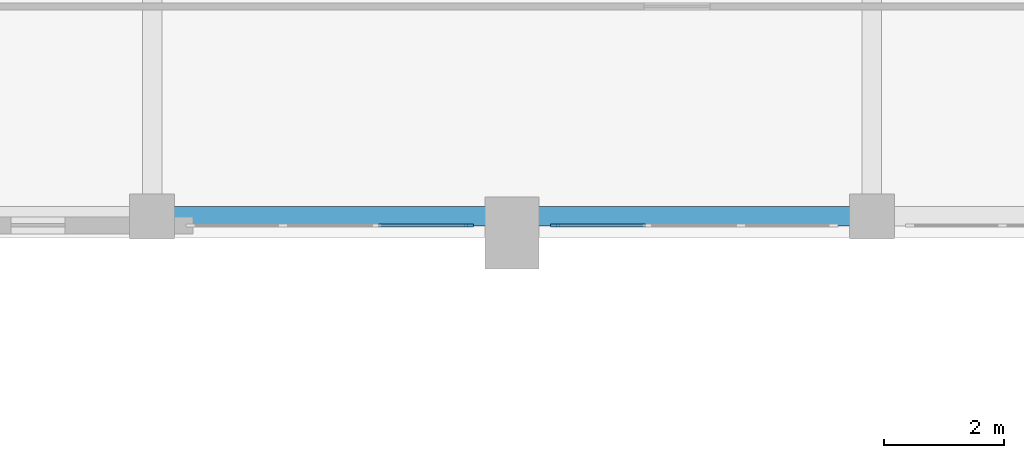
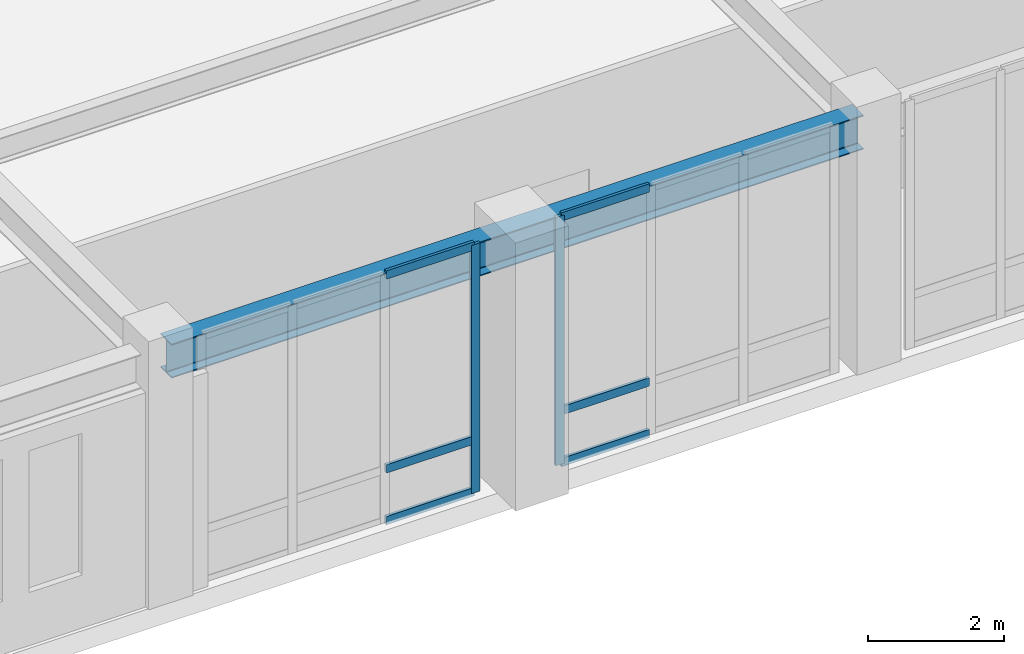
# One storey, part 40 of 126: 8 members, 1 beam, 2 elements without a shape of their own.
"""IFC4 building model written with IfcOpenShell, lengths in metres."""

from ifc_helpers import new_model, si_unit, derived_unit, direction, frame, origin, origin_2d, place, context, subcontext, project, spatial, rectangle, i_section, extrude, material, layer, layer_set, material_profile, profile_set, type_object, element, aggregate, save


model = new_model("IFC4")

# Units and contexts
model_context = context("Model", 3, precision=1e-05, world=origin(), true_north=direction((0.0, 1.0)))
body_context = subcontext(model_context, "Body", "Model", "MODEL_VIEW")
ifc_project = project(units=[si_unit("LENGTHUNIT", "METRE"), si_unit("AREAUNIT", "SQUARE_METRE"), si_unit("VOLUMEUNIT", "CUBIC_METRE"), si_unit("PLANEANGLEUNIT", "RADIAN"), si_unit("MASSUNIT", "GRAM", prefix="KILO"), derived_unit("THERMALTRANSMITTANCEUNIT", [(si_unit("MASSUNIT", "GRAM", prefix="KILO"), 1), (si_unit("TIMEUNIT", "SECOND"), -3), (si_unit("THERMODYNAMICTEMPERATUREUNIT", "KELVIN"), -1)])], contexts=[model_context])

# Site, building, storey
site_placement = place(None, origin())
site = spatial("IfcSite", under=ifc_project, at=site_placement, CompositionType="ELEMENT")
building_placement = place(site_placement, origin())
building = spatial("IfcBuilding", under=site, at=building_placement, Name="Valcora Ridge Arena", CompositionType="ELEMENT")
storey_placement = place(building_placement, frame((0.0, 0.0, 11.39990234375)))
storey = spatial("IfcBuildingStorey", under=building, at=storey_placement, Name="L02", CompositionType="ELEMENT", Elevation=11.39990234375)

# Beam
ifc_material_1 = material(Name="Steel ASTM A572 Grade 50", Category="steel")
ifc_material_profile_1 = material_profile(ifc_material_1, i_section(OverallWidth=0.324951171875, OverallDepth=0.612060546875, WebThickness=0.0126953125, FlangeThickness=0.01904296875, FilletRadius=0.01806640625, at=origin_2d()), Name="W24X104")
ifc_profile_set_1 = profile_set([ifc_material_profile_1], Name="Steel ASTM A572 Grade 50")
beam_type = type_object("IfcBeamType", Name="TY-BEAM-G-W24X104-X", PredefinedType="BEAM", material=ifc_profile_set_1)
beam_placement = place(storey_placement, frame((120.139892578125, 108.699951171875, 4.14404296875), z_axis=(1.0, 0.0, 0.0), x_axis=(0.0, 1.0, 0.0)))
element("IfcBeam", 1, at=beam_placement, inside=storey, type_object=beam_type, Name="G-W24X104-X BEM-G-W24X104-X-0074", PredefinedType="BEAM", context=body_context, shape_type="SweptSolid", body=[
    extrude(i_section(OverallWidth=0.324951171875, OverallDepth=0.612060546875, WebThickness=0.0126953125, FlangeThickness=0.01904296875, FilletRadius=0.01806640625, at=origin_2d()), origin(), (0.0, 0.0, 1.0), 11.72021484375),
])

# Curtain wall, member
ifc_material_2 = material(Name="Anodised dark bronze architectural aluminium 6063-T6", Category="aluminium")
ifc_layer = layer(ifc_material_2, 0.14990234375, Name="Anodised dark bronze architectural aluminium 6063-T6")
ifc_layer_set = layer_set([ifc_layer], Name="Anodised dark bronze architectural aluminium 6063-T6")
curtain_wall_type = type_object("IfcCurtainWallType", Name="TY-CURTAINWALL-CW-V5-MED-047X44", PredefinedType="NOTDEFINED", material=ifc_layer_set)
curtain_wall_1_placement = place(storey_placement, origin())
curtain_wall_1 = element("IfcCurtainWall", 2, at=curtain_wall_1_placement, inside=storey, type_object=curtain_wall_type, Name="CW-V5-MED-047X44 CW-0326", PredefinedType="NOTDEFINED")
ifc_material_profile_2 = material_profile(ifc_material_2, rectangle(XDim=0.050048828125, YDim=0.14990234375, at=origin_2d()), Name="ALU MULLION 50x150")
ifc_profile_set_2 = profile_set([ifc_material_profile_2], Name="Anodised dark bronze architectural aluminium 6063-T6")
member_type_1 = type_object("IfcMemberType", Name="TY-MEM-CWM-50x150", PredefinedType="MULLION", material=ifc_profile_set_2)
member_1_placement = place(storey_placement, frame((125.284912109375, 108.550048828125, 0.0), z_axis=(0.0, 0.0, 1.0), x_axis=(0.0, 1.0, 0.0)))
member_1 = element("IfcMember", 3, at=member_1_placement, type_object=member_type_1, Name="CW-0326/CWM-50x150/M03", PredefinedType="MULLION", context=body_context, shape_type="SweptSolid", body=[
    extrude(rectangle(XDim=0.050048828125, YDim=0.14990234375, at=origin_2d()), origin(), (0.0, 0.0, 1.0), 4.4501953125),
])

curtain_wall_2_placement = place(storey_placement, origin())
curtain_wall_2 = element("IfcCurtainWall", 4, at=curtain_wall_2_placement, inside=storey, type_object=curtain_wall_type, Name="CW-V5-MED-047X44 CW-0327", PredefinedType="NOTDEFINED")
member_2_placement = place(storey_placement, frame((126.715087890625, 108.550048828125, 0.0), z_axis=(0.0, 0.0, 1.0), x_axis=(0.0, 1.0, 0.0)))
member_2 = element("IfcMember", 5, at=member_2_placement, type_object=member_type_1, Name="CW-0327/CWM-50x150/M00", PredefinedType="MULLION", context=body_context, shape_type="SweptSolid", body=[
    extrude(rectangle(XDim=0.050048828125, YDim=0.14990234375, at=origin_2d()), origin(), (0.0, 0.0, 1.0), 4.4501953125),
])

# Member
ifc_material_profile_3 = material_profile(ifc_material_2, rectangle(XDim=0.050048828125, YDim=0.14990234375, at=origin_2d()), Name="ALU TRANSOM 50x150")
ifc_profile_set_3 = profile_set([ifc_material_profile_3], Name="Anodised dark bronze architectural aluminium 6063-T6")
member_type_2 = type_object("IfcMemberType", Name="TY-MEM-CWT-50x150", PredefinedType="USERDEFINED", material=ifc_profile_set_3)
member_3_placement = place(storey_placement, frame((123.77001953125, 108.550048828125, 0.025146484375), z_axis=(1.0, 0.0, 0.0), x_axis=(0.0, 1.0, 0.0)))
member_3 = element("IfcMember", 6, at=member_3_placement, type_object=member_type_2, Name="CW-0326/CWT-50x150/T02-00", ObjectType="TRANSOM", PredefinedType="USERDEFINED", context=body_context, shape_type="SweptSolid", body=[
    extrude(rectangle(XDim=0.050048828125, YDim=0.14990234375, at=origin_2d()), origin(), (0.0, 0.0, 1.0), 1.489990234375),
])

member_4_placement = place(storey_placement, frame((123.77001953125, 108.550048828125, 0.9501953125), z_axis=(1.0, 0.0, 0.0), x_axis=(0.0, 1.0, 0.0)))
member_4 = element("IfcMember", 7, at=member_4_placement, type_object=member_type_2, Name="CW-0326/CWT-50x150/T02-01", ObjectType="TRANSOM", PredefinedType="USERDEFINED", context=body_context, shape_type="SweptSolid", body=[
    extrude(rectangle(XDim=0.050048828125, YDim=0.14990234375, at=origin_2d()), origin(), (0.0, 0.0, 1.0), 1.489990234375),
])

member_5_placement = place(storey_placement, frame((123.77001953125, 108.550048828125, 4.425048828125), z_axis=(1.0, 0.0, 0.0), x_axis=(0.0, 1.0, 0.0)))
member_5 = element("IfcMember", 8, at=member_5_placement, type_object=member_type_2, Name="CW-0326/CWT-50x150/T02-02", ObjectType="TRANSOM", PredefinedType="USERDEFINED", context=body_context, shape_type="SweptSolid", body=[
    extrude(rectangle(XDim=0.050048828125, YDim=0.14990234375, at=origin_2d()), origin(), (0.0, 0.0, 1.0), 1.489990234375),
])

aggregate(curtain_wall_1, [member_1, member_3, member_4, member_5])

member_6_placement = place(storey_placement, frame((126.739990234375, 108.550048828125, 0.025146484375), z_axis=(1.0, 0.0, 0.0), x_axis=(0.0, 1.0, 0.0)))
member_6 = element("IfcMember", 9, at=member_6_placement, type_object=member_type_2, Name="CW-0327/CWT-50x150/T00-00", ObjectType="TRANSOM", PredefinedType="USERDEFINED", context=body_context, shape_type="SweptSolid", body=[
    extrude(rectangle(XDim=0.050048828125, YDim=0.14990234375, at=origin_2d()), origin(), (0.0, 0.0, 1.0), 1.489990234375),
])

member_7_placement = place(storey_placement, frame((126.739990234375, 108.550048828125, 0.9501953125), z_axis=(1.0, 0.0, 0.0), x_axis=(0.0, 1.0, 0.0)))
member_7 = element("IfcMember", 10, at=member_7_placement, type_object=member_type_2, Name="CW-0327/CWT-50x150/T00-01", ObjectType="TRANSOM", PredefinedType="USERDEFINED", context=body_context, shape_type="SweptSolid", body=[
    extrude(rectangle(XDim=0.050048828125, YDim=0.14990234375, at=origin_2d()), origin(), (0.0, 0.0, 1.0), 1.489990234375),
])

member_8_placement = place(storey_placement, frame((126.739990234375, 108.550048828125, 4.425048828125), z_axis=(1.0, 0.0, 0.0), x_axis=(0.0, 1.0, 0.0)))
member_8 = element("IfcMember", 11, at=member_8_placement, type_object=member_type_2, Name="CW-0327/CWT-50x150/T00-02", ObjectType="TRANSOM", PredefinedType="USERDEFINED", context=body_context, shape_type="SweptSolid", body=[
    extrude(rectangle(XDim=0.050048828125, YDim=0.14990234375, at=origin_2d()), origin(), (0.0, 0.0, 1.0), 1.489990234375),
])

aggregate(curtain_wall_2, [member_2, member_6, member_7, member_8])

save(model, "model.ifc")
